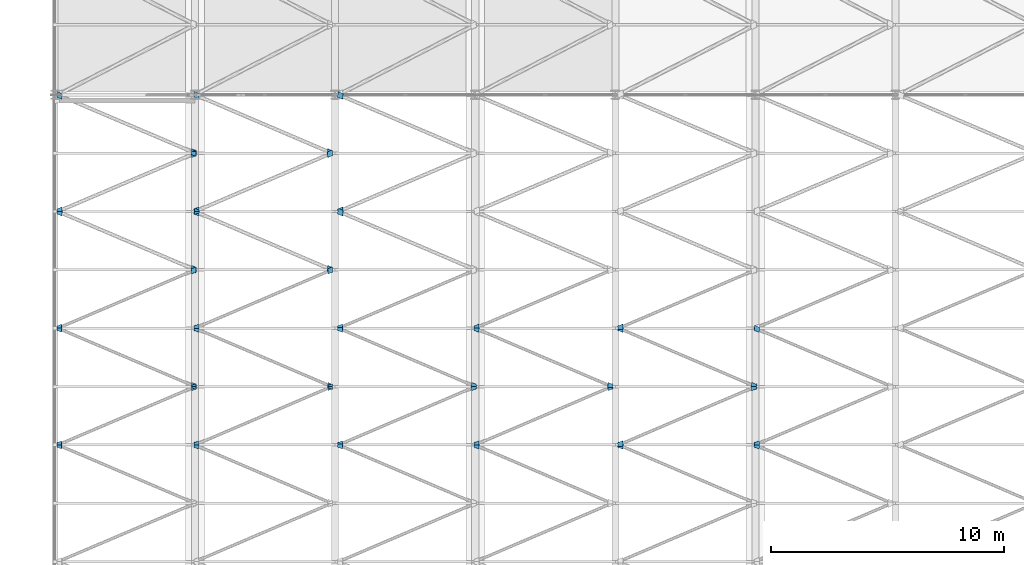
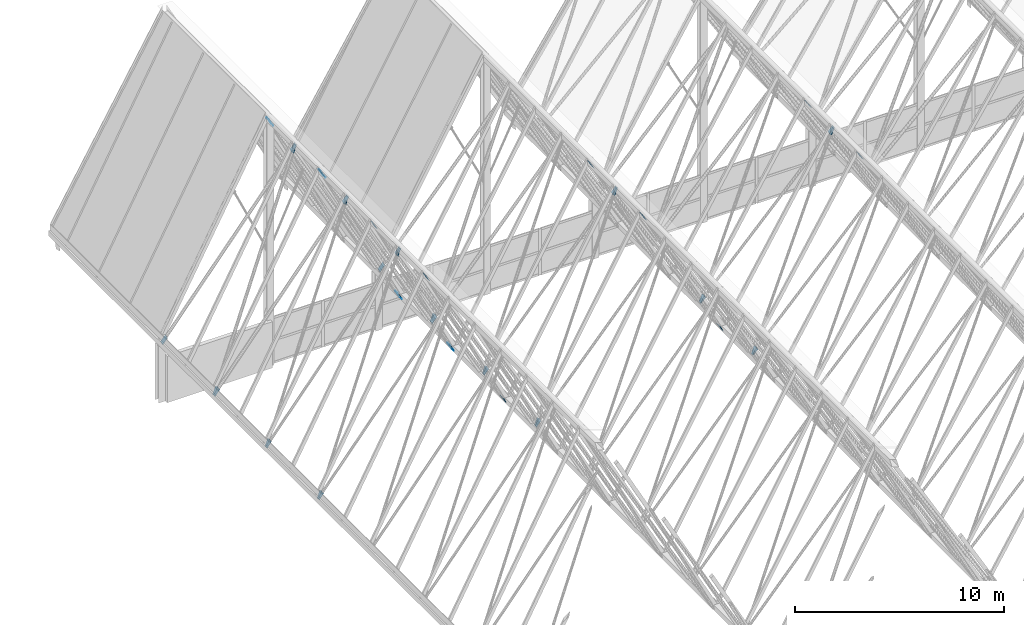
# One storey, part 421 of 483: 50 discrete accessories.
"""IFC4 building model written with IfcOpenShell, lengths in metres."""

from ifc_helpers import new_model, si_unit, direction, frame, origin, place, context, subcontext, project, spatial, polyline, outline, extrude, material, layer, layer_set, type_object, element, save


model = new_model("IFC4")

# Units and contexts
model_context = context("Model", 3, precision=1e-05, world=origin(), true_north=direction((0.0, 1.0)))
body_context = subcontext(model_context, "Body", "Model", "MODEL_VIEW")
ifc_project = project(units=[si_unit("LENGTHUNIT", "METRE"), si_unit("AREAUNIT", "SQUARE_METRE"), si_unit("VOLUMEUNIT", "CUBIC_METRE"), si_unit("PLANEANGLEUNIT", "RADIAN"), si_unit("MASSUNIT", "GRAM", prefix="KILO")], contexts=[model_context])

# Site, building, storey
site_placement = place(None, origin())
site = spatial("IfcSite", under=ifc_project, at=site_placement, CompositionType="ELEMENT")
building_placement = place(site_placement, origin())
building = spatial("IfcBuilding", under=site, at=building_placement, Name="Parallax Yard Mobility Hub", CompositionType="ELEMENT")
storey_placement = place(building_placement, frame((0.0, 0.0, 13.199951171875)))
storey = spatial("IfcBuildingStorey", under=building, at=storey_placement, Name="L04", CompositionType="ELEMENT", Elevation=13.199951171875)

# Discrete accessories
ifc_material = material(Name="Steel ASTM A36", Category="steel")
ifc_layer = layer(ifc_material, 0.011962890625)
ifc_layer_set = layer_set([ifc_layer], Name="Gusset plate PL12")
discrete_accessory_type = type_object("IfcDiscreteAccessoryType", Name="Gusset plate PL12", PredefinedType="BRACKET", material=ifc_layer_set)
discrete_accessory_1_placement = place(storey_placement, frame((27.17578125, 37.537109375, 13.36328125), z_axis=(0.868754580943, 0.000345341315, 0.495242727185), x_axis=(-0.484568892137, 0.207090666988, 0.84988613615)))
element("IfcDiscreteAccessory", 1, at=discrete_accessory_1_placement, inside=storey, type_object=discrete_accessory_type, Name="Gusset plate PL12 at end 2 of Plate diagonal plate F4-F5 bay 12", PredefinedType="BRACKET", context=body_context, shape_type="SweptSolid", body=[
    extrude(outline(polyline([(0.0, 0.0), (0.4196908714630526, 0.0), (0.4196962682363814, 0.21960554386399633), (5.3967733288293185e-06, 0.2196055438639963), (0.0, 0.0)])), origin(), (0.0, 0.0, -1.0), 0.011962890625),
])
discrete_accessory_2_placement = place(storey_placement, frame((33.33740234375, 37.533447265625, 3.716552734375), z_axis=(-0.854018875597, 0.000557720542, 0.520241721771), x_axis=(-0.507742563773, 0.21699439579, -0.833733123445)))
element("IfcDiscreteAccessory", 2, at=discrete_accessory_2_placement, inside=storey, type_object=discrete_accessory_type, Name="Gusset plate PL12 at end 2 of Plate diagonal plate F5-F6 bay 12", PredefinedType="BRACKET", context=body_context, shape_type="SweptSolid", body=[
    extrude(outline(polyline([(0.0, 0.0), (0.41966253264156217, 0.0), (0.41978511409084773, 0.219614864219578), (-8.096667655547313e-05, 0.21956968987108047), (0.0, 0.0)])), origin(), (0.0, 0.0, -1.0), 0.011962890625),
])
discrete_accessory_3_placement = place(storey_placement, frame((39.184814453125, 37.533447265625, 12.711669921875), z_axis=(0.854016692741, 0.000119683392, 0.52024559027), x_axis=(-0.50787179366, 0.216994477704, 0.833654387532)))
element("IfcDiscreteAccessory", 3, at=discrete_accessory_3_placement, inside=storey, type_object=discrete_accessory_type, Name="Gusset plate PL12 at end 2 of Plate diagonal plate F6-F7 bay 12", PredefinedType="BRACKET", context=body_context, shape_type="SweptSolid", body=[
    extrude(outline(polyline([(0.0, 0.0), (0.41966253744663834, -1.3877787807814457e-17), (0.4194575882440381, 0.21954206328546932), (-0.00020494920260025196, 0.21954206328546932), (0.0, 0.0)])), origin(), (0.0, 0.0, -1.0), 0.011962890625),
])
discrete_accessory_4_placement = place(storey_placement, frame((9.29443359375, 37.540771484375, 3.678955078125), z_axis=(-0.881330506499, 0.000364781086, 0.472500164284), x_axis=(-0.463153892363, 0.197247700391, -0.864049661003)))
element("IfcDiscreteAccessory", 4, at=discrete_accessory_4_placement, inside=storey, type_object=discrete_accessory_type, Name="Gusset plate PL12 at end 2 of Plate diagonal plate F1-F2 bay 12", PredefinedType="BRACKET", context=body_context, shape_type="SweptSolid", body=[
    extrude(outline(polyline([(0.0, 0.0), (0.4195925818708517, 0.0), (0.4195252484554286, 0.21963375914747532), (-6.7333415423039e-05, 0.21963375914747532), (0.0, 0.0)])), origin(), (0.0, 0.0, -1.0), 0.011962890625),
])
discrete_accessory_5_placement = place(storey_placement, frame((15.16748046875, 37.54052734375, 14.016357421875), z_axis=(0.881379531928, 0.00015000554, 0.472408825274), x_axis=(-0.463100667478, 0.197806817767, 0.863950365835)))
element("IfcDiscreteAccessory", 5, at=discrete_accessory_5_placement, inside=storey, type_object=discrete_accessory_type, Name="Gusset plate PL12 at end 2 of Plate diagonal plate F2-F3 bay 12", PredefinedType="BRACKET", context=body_context, shape_type="SweptSolid", body=[
    extrude(outline(polyline([(0.0, 0.0), (0.4196408063032597, 0.0), (0.4196591291142459, 0.21967623587709556), (1.8322810986286242e-05, 0.2196762358770956), (0.0, 0.0)])), origin(), (0.0, 0.0, -1.0), 0.011962890625),
])
discrete_accessory_6_placement = place(storey_placement, frame((21.328369140625, 37.537109375, 3.72216796875), z_axis=(-0.868696794053, 0.000898687081, 0.495343388332), x_axis=(-0.484454521055, 0.206988455494, -0.849976232798)))
element("IfcDiscreteAccessory", 6, at=discrete_accessory_6_placement, inside=storey, type_object=discrete_accessory_type, Name="Gusset plate PL12 at end 2 of Plate diagonal plate F3-F4 bay 12", PredefinedType="BRACKET", context=body_context, shape_type="SweptSolid", body=[
    extrude(outline(polyline([(0.0, 0.0), (0.4198983785511328, 1.3877787807814457e-17), (0.41983749063708, 0.21958679860225017), (0.00014662581465764435, 0.21963059128649676), (0.0, 0.0)])), origin(), (0.0, 0.0, -1.0), 0.011962890625),
])
discrete_accessory_7_placement = place(storey_placement, frame((27.1533203125, 37.677734375, 13.40283203125), z_axis=(0.868754580943, -0.000345341315, 0.495242727185), x_axis=(-0.484568892137, -0.207090666988, 0.84988613615)))
element("IfcDiscreteAccessory", 7, at=discrete_accessory_7_placement, inside=storey, type_object=discrete_accessory_type, Name="Gusset plate PL12 at end 1 of Plate diagonal plate F4-F5 bay 13", PredefinedType="BRACKET", context=body_context, shape_type="SweptSolid", body=[
    extrude(outline(polyline([(0.0, 0.0), (0.4196908714630526, 0.0), (0.4196854746897237, 0.2196055438639963), (-5.3967733288293185e-06, 0.2196055438639963), (0.0, 0.0)])), origin(), (0.0, 0.0, -1.0), 0.011962890625),
])
discrete_accessory_8_placement = place(storey_placement, frame((32.6943359375, 39.822265625, 3.6826171875), z_axis=(0.868696794053, 0.000898687081, 0.495343388332), x_axis=(0.484443740172, 0.207090539659, -0.849957511286)))
element("IfcDiscreteAccessory", 8, at=discrete_accessory_8_placement, inside=storey, type_object=discrete_accessory_type, Name="Gusset plate PL12 at end 2 of Plate diagonal plate F4-F5 bay 13", PredefinedType="BRACKET", context=body_context, shape_type="SweptSolid", body=[
    extrude(outline(polyline([(0.0, 0.0), (0.41969086710719833, 1.3877787807814457e-17), (0.4197746678267241, 0.21958679105347548), (-0.00012370843850314367, 0.21963060539052376), (0.0, 0.0)])), origin(), (0.0, 0.0, -1.0), 0.011962890625),
])
discrete_accessory_9_placement = place(storey_placement, frame((33.3125, 37.680908203125, 3.676025390625), z_axis=(-0.854018875597, -0.000557720542, 0.520241721771), x_axis=(-0.507754756906, -0.21688936589, -0.833753026863)))
element("IfcDiscreteAccessory", 9, at=discrete_accessory_9_placement, inside=storey, type_object=discrete_accessory_type, Name="Gusset plate PL12 at end 1 of Plate diagonal plate F5-F6 bay 13", PredefinedType="BRACKET", context=body_context, shape_type="SweptSolid", body=[
    extrude(outline(polyline([(0.0, 0.0), (0.41986608319760876, -1.3877787807814457e-17), (0.41971987288542956, 0.219614849759619), (5.7342672894721e-05, 0.21956969731158954), (0.0, 0.0)])), origin(), (0.0, 0.0, -1.0), 0.011962890625),
])
for number, where, z_axis, x_axis, name in (
    (10, (38.83984375, 39.819091796875, 12.752197265625), (-0.854016692741, 0.000119683392, 0.52024559027), (0.50787179366, 0.216994477704, 0.833654387532), "Gusset plate PL12 at end 2 of Plate diagonal plate F5-F6 bay 13"),
    (11, (39.16015625, 37.680908203125, 12.752197265625), (0.854016692741, -0.000119683392, 0.52024559027), (-0.50787179366, -0.216994477704, 0.833654387532), "Gusset plate PL12 at end 1 of Plate diagonal plate F6-F7 bay 13"),
):
    element("IfcDiscreteAccessory", number, at=place(storey_placement, frame(where, z_axis=z_axis, x_axis=x_axis)), inside=storey, type_object=discrete_accessory_type, Name=name, PredefinedType="BRACKET", context=body_context, shape_type="SweptSolid", body=[
        extrude(outline(polyline([(0.0, 0.0), (0.41966253744663834, 1.3877787807814457e-17), (0.41986748664923856, 0.21954206328546938), (0.00020494920260025196, 0.21954206328546932), (0.0, 0.0)])), origin(), (0.0, 0.0, -1.0), 0.011962890625),
    ])
discrete_accessory_10_placement = place(storey_placement, frame((9.27392578125, 37.674560546875, 3.640869140625), z_axis=(-0.881330506499, -0.000364781086, 0.472500164284), x_axis=(-0.463153892363, -0.197247700391, -0.864049661003)))
element("IfcDiscreteAccessory", 12, at=discrete_accessory_10_placement, inside=storey, type_object=discrete_accessory_type, Name="Gusset plate PL12 at end 1 of Plate diagonal plate F1-F2 bay 13", PredefinedType="BRACKET", context=body_context, shape_type="SweptSolid", body=[
    extrude(outline(polyline([(0.0, 0.0), (0.4195925818708517, 0.0), (0.4196599152862747, 0.21963375914747532), (6.7333415423039e-05, 0.21963375914747532), (0.0, 0.0)])), origin(), (0.0, 0.0, -1.0), 0.011962890625),
])
discrete_accessory_11_placement = place(storey_placement, frame((14.85302734375, 39.825439453125, 14.054443359375), z_axis=(-0.881457749689, -0.000418899554, 0.472262702356), x_axis=(0.462921139514, 0.197148575748, 0.864197001656)))
element("IfcDiscreteAccessory", 13, at=discrete_accessory_11_placement, inside=storey, type_object=discrete_accessory_type, Name="Gusset plate PL12 at end 2 of Plate diagonal plate F1-F2 bay 13", PredefinedType="BRACKET", context=body_context, shape_type="SweptSolid", body=[
    extrude(outline(polyline([(0.0, 0.0), (0.4198035494855601, 0.0), (0.4198486998351981, 0.2196337648279198), (4.515034963806924e-05, 0.2196337648279198), (0.0, 0.0)])), origin(), (0.0, 0.0, -1.0), 0.011962890625),
])
discrete_accessory_12_placement = place(storey_placement, frame((15.14697265625, 37.6748046875, 14.0546875), z_axis=(0.881379531928, -0.00015000554, 0.472408825274), x_axis=(-0.463100667478, -0.197806817767, 0.863950365835)))
element("IfcDiscreteAccessory", 14, at=discrete_accessory_12_placement, inside=storey, type_object=discrete_accessory_type, Name="Gusset plate PL12 at end 1 of Plate diagonal plate F2-F3 bay 13", PredefinedType="BRACKET", context=body_context, shape_type="SweptSolid", body=[
    extrude(outline(polyline([(0.0, 0.0), (0.4196408063032597, 0.0), (0.4196224834922734, 0.21967623587709556), (-1.8322810986286242e-05, 0.2196762358770956), (0.0, 0.0)])), origin(), (0.0, 0.0, -1.0), 0.011962890625),
])
discrete_accessory_13_placement = place(storey_placement, frame((20.70068359375, 39.8251953125, 3.688232421875), z_axis=(0.881506711294, -9.5645112e-05, 0.472171482404), x_axis=(0.462867994823, 0.197707434975, -0.86409778933)))
element("IfcDiscreteAccessory", 15, at=discrete_accessory_13_placement, inside=storey, type_object=discrete_accessory_type, Name="Gusset plate PL12 at end 2 of Plate diagonal plate F2-F3 bay 13", PredefinedType="BRACKET", context=body_context, shape_type="SweptSolid", body=[
    extrude(outline(polyline([(0.0, 0.0), (0.4198517496860976, 0.0), (0.4198111474296618, 0.21967623288902122), (-4.0602256435769146e-05, 0.21967623288902127), (0.0, 0.0)])), origin(), (0.0, 0.0, -1.0), 0.011962890625),
])
discrete_accessory_14_placement = place(storey_placement, frame((21.3056640625, 37.677734375, 3.6826171875), z_axis=(-0.868696794053, -0.000898687081, 0.495343388332), x_axis=(-0.484443740172, -0.207090539659, -0.849957511286)))
element("IfcDiscreteAccessory", 16, at=discrete_accessory_14_placement, inside=storey, type_object=discrete_accessory_type, Name="Gusset plate PL12 at end 1 of Plate diagonal plate F3-F4 bay 13", PredefinedType="BRACKET", context=body_context, shape_type="SweptSolid", body=[
    extrude(outline(polyline([(0.0, 0.0), (0.41969086710719833, 1.3877787807814457e-17), (0.4197746678267241, 0.21958679105347548), (-0.00012370843850314367, 0.21963060539052376), (0.0, 0.0)])), origin(), (0.0, 0.0, -1.0), 0.011962890625),
])
discrete_accessory_15_placement = place(storey_placement, frame((26.8466796875, 39.822265625, 13.40283203125), z_axis=(-0.868754580943, 0.000345341315, 0.495242727185), x_axis=(0.484568892137, 0.207090666988, 0.84988613615)))
element("IfcDiscreteAccessory", 17, at=discrete_accessory_15_placement, inside=storey, type_object=discrete_accessory_type, Name="Gusset plate PL12 at end 2 of Plate diagonal plate F3-F4 bay 13", PredefinedType="BRACKET", context=body_context, shape_type="SweptSolid", body=[
    extrude(outline(polyline([(0.0, 0.0), (0.4196908714630526, 0.0), (0.4196854746897237, 0.2196055438639963), (-5.3967733288293185e-06, 0.2196055438639963), (0.0, 0.0)])), origin(), (0.0, 0.0, -1.0), 0.011962890625),
])
discrete_accessory_16_placement = place(storey_placement, frame((32.671630859375, 39.962890625, 3.72216796875), z_axis=(0.868696794053, -0.000898687081, 0.495343388332), x_axis=(0.484454521055, -0.206988455494, -0.849976232798)))
element("IfcDiscreteAccessory", 18, at=discrete_accessory_16_placement, inside=storey, type_object=discrete_accessory_type, Name="Gusset plate PL12 at end 1 of Plate diagonal plate F4-F5 bay 14", PredefinedType="BRACKET", context=body_context, shape_type="SweptSolid", body=[
    extrude(outline(polyline([(0.0, 0.0), (0.4198983785511328, 1.3877787807814457e-17), (0.41983749063708, 0.21958679860225017), (0.00014662581465764435, 0.21963059128649676), (0.0, 0.0)])), origin(), (0.0, 0.0, -1.0), 0.011962890625),
])
discrete_accessory_17_placement = place(storey_placement, frame((27.17578125, 42.537109375, 13.36328125), z_axis=(0.868754580943, 0.000345341315, 0.495242727185), x_axis=(-0.484568892137, 0.207090666988, 0.84988613615)))
element("IfcDiscreteAccessory", 19, at=discrete_accessory_17_placement, inside=storey, type_object=discrete_accessory_type, Name="Gusset plate PL12 at end 2 of Plate diagonal plate F4-F5 bay 14", PredefinedType="BRACKET", context=body_context, shape_type="SweptSolid", body=[
    extrude(outline(polyline([(0.0, 0.0), (0.4196908714630526, 0.0), (0.4196962682363814, 0.21960554386399633), (5.3967733288293185e-06, 0.2196055438639963), (0.0, 0.0)])), origin(), (0.0, 0.0, -1.0), 0.011962890625),
])
discrete_accessory_18_placement = place(storey_placement, frame((38.815185546875, 39.966552734375, 12.711669921875), z_axis=(-0.854016692741, -0.000119683392, 0.52024559027), x_axis=(0.50787179366, -0.216994477704, 0.833654387532)))
element("IfcDiscreteAccessory", 20, at=discrete_accessory_18_placement, inside=storey, type_object=discrete_accessory_type, Name="Gusset plate PL12 at end 1 of Plate diagonal plate F5-F6 bay 14", PredefinedType="BRACKET", context=body_context, shape_type="SweptSolid", body=[
    extrude(outline(polyline([(0.0, 0.0), (0.41966253744663834, -1.3877787807814457e-17), (0.4194575882440381, 0.21954206328546932), (-0.00020494920260025196, 0.21954206328546932), (0.0, 0.0)])), origin(), (0.0, 0.0, -1.0), 0.011962890625),
])
discrete_accessory_19_placement = place(storey_placement, frame((33.33740234375, 42.533447265625, 3.716552734375), z_axis=(-0.854018875597, 0.000557720542, 0.520241721771), x_axis=(-0.507742563773, 0.21699439579, -0.833733123445)))
element("IfcDiscreteAccessory", 21, at=discrete_accessory_19_placement, inside=storey, type_object=discrete_accessory_type, Name="Gusset plate PL12 at end 2 of Plate diagonal plate F5-F6 bay 14", PredefinedType="BRACKET", context=body_context, shape_type="SweptSolid", body=[
    extrude(outline(polyline([(0.0, 0.0), (0.41966253264156217, 0.0), (0.41978511409084773, 0.219614864219578), (-8.096667655547313e-05, 0.21956968987108047), (0.0, 0.0)])), origin(), (0.0, 0.0, -1.0), 0.011962890625),
])
discrete_accessory_20_placement = place(storey_placement, frame((39.184814453125, 42.533447265625, 12.711669921875), z_axis=(0.854016692741, 0.000119683392, 0.52024559027), x_axis=(-0.50787179366, 0.216994477704, 0.833654387532)))
element("IfcDiscreteAccessory", 22, at=discrete_accessory_20_placement, inside=storey, type_object=discrete_accessory_type, Name="Gusset plate PL12 at end 2 of Plate diagonal plate F6-F7 bay 14", PredefinedType="BRACKET", context=body_context, shape_type="SweptSolid", body=[
    extrude(outline(polyline([(0.0, 0.0), (0.41966253744663834, -1.3877787807814457e-17), (0.4194575882440381, 0.21954206328546932), (-0.00020494920260025196, 0.21954206328546932), (0.0, 0.0)])), origin(), (0.0, 0.0, -1.0), 0.011962890625),
])
discrete_accessory_21_placement = place(storey_placement, frame((14.83251953125, 39.959228515625, 14.016357421875), z_axis=(-0.881457749689, 0.000418899554, 0.472262702356), x_axis=(0.462921139514, -0.197148575748, 0.864197001656)))
element("IfcDiscreteAccessory", 23, at=discrete_accessory_21_placement, inside=storey, type_object=discrete_accessory_type, Name="Gusset plate PL12 at end 1 of Plate diagonal plate F1-F2 bay 14", PredefinedType="BRACKET", context=body_context, shape_type="SweptSolid", body=[
    extrude(outline(polyline([(0.0, 0.0), (0.4198035494855601, 0.0), (0.419758399135922, 0.21963376482791974), (-4.515034963806924e-05, 0.2196337648279198), (0.0, 0.0)])), origin(), (0.0, 0.0, -1.0), 0.011962890625),
])
discrete_accessory_22_placement = place(storey_placement, frame((9.29443359375, 42.540771484375, 3.678955078125), z_axis=(-0.881330506499, 0.000364781086, 0.472500164284), x_axis=(-0.463153892363, 0.197247700391, -0.864049661003)))
element("IfcDiscreteAccessory", 24, at=discrete_accessory_22_placement, inside=storey, type_object=discrete_accessory_type, Name="Gusset plate PL12 at end 2 of Plate diagonal plate F1-F2 bay 14", PredefinedType="BRACKET", context=body_context, shape_type="SweptSolid", body=[
    extrude(outline(polyline([(0.0, 0.0), (0.4195925818708517, 0.0), (0.4195252484554286, 0.21963375914747532), (-6.7333415423039e-05, 0.21963375914747532), (0.0, 0.0)])), origin(), (0.0, 0.0, -1.0), 0.011962890625),
])
discrete_accessory_23_placement = place(storey_placement, frame((20.68017578125, 39.95947265625, 3.7265625), z_axis=(0.881506711294, 9.5645112e-05, 0.472171482404), x_axis=(0.462867994823, -0.197707434975, -0.86409778933)))
element("IfcDiscreteAccessory", 25, at=discrete_accessory_23_placement, inside=storey, type_object=discrete_accessory_type, Name="Gusset plate PL12 at end 1 of Plate diagonal plate F2-F3 bay 14", PredefinedType="BRACKET", context=body_context, shape_type="SweptSolid", body=[
    extrude(outline(polyline([(0.0, 0.0), (0.4198517496860976, 0.0), (0.4198923519425334, 0.21967623288902127), (4.0602256435769146e-05, 0.21967623288902127), (0.0, 0.0)])), origin(), (0.0, 0.0, -1.0), 0.011962890625),
])
discrete_accessory_24_placement = place(storey_placement, frame((15.16748046875, 42.54052734375, 14.016357421875), z_axis=(0.881379531928, 0.00015000554, 0.472408825274), x_axis=(-0.463100667478, 0.197806817767, 0.863950365835)))
element("IfcDiscreteAccessory", 26, at=discrete_accessory_24_placement, inside=storey, type_object=discrete_accessory_type, Name="Gusset plate PL12 at end 2 of Plate diagonal plate F2-F3 bay 14", PredefinedType="BRACKET", context=body_context, shape_type="SweptSolid", body=[
    extrude(outline(polyline([(0.0, 0.0), (0.4196408063032597, 0.0), (0.4196591291142459, 0.21967623587709556), (1.8322810986286242e-05, 0.2196762358770956), (0.0, 0.0)])), origin(), (0.0, 0.0, -1.0), 0.011962890625),
])
discrete_accessory_25_placement = place(storey_placement, frame((26.82421875, 39.962890625, 13.36328125), z_axis=(-0.868754580943, -0.000345341315, 0.495242727185), x_axis=(0.484568892137, -0.207090666988, 0.84988613615)))
element("IfcDiscreteAccessory", 27, at=discrete_accessory_25_placement, inside=storey, type_object=discrete_accessory_type, Name="Gusset plate PL12 at end 1 of Plate diagonal plate F3-F4 bay 14", PredefinedType="BRACKET", context=body_context, shape_type="SweptSolid", body=[
    extrude(outline(polyline([(0.0, 0.0), (0.4196908714630526, 0.0), (0.4196962682363814, 0.21960554386399633), (5.3967733288293185e-06, 0.2196055438639963), (0.0, 0.0)])), origin(), (0.0, 0.0, -1.0), 0.011962890625),
])
discrete_accessory_26_placement = place(storey_placement, frame((21.328369140625, 42.537109375, 3.72216796875), z_axis=(-0.868696794053, 0.000898687081, 0.495343388332), x_axis=(-0.484454521055, 0.206988455494, -0.849976232798)))
element("IfcDiscreteAccessory", 28, at=discrete_accessory_26_placement, inside=storey, type_object=discrete_accessory_type, Name="Gusset plate PL12 at end 2 of Plate diagonal plate F3-F4 bay 14", PredefinedType="BRACKET", context=body_context, shape_type="SweptSolid", body=[
    extrude(outline(polyline([(0.0, 0.0), (0.4198983785511328, 1.3877787807814457e-17), (0.41983749063708, 0.21958679860225017), (0.00014662581465764435, 0.21963059128649676), (0.0, 0.0)])), origin(), (0.0, 0.0, -1.0), 0.011962890625),
])
discrete_accessory_27_placement = place(storey_placement, frame((27.1533203125, 42.677734375, 13.40283203125), z_axis=(0.868754580943, -0.000345341315, 0.495242727185), x_axis=(-0.484568892137, -0.207090666988, 0.84988613615)))
element("IfcDiscreteAccessory", 29, at=discrete_accessory_27_placement, inside=storey, type_object=discrete_accessory_type, Name="Gusset plate PL12 at end 1 of Plate diagonal plate F4-F5 bay 15", PredefinedType="BRACKET", context=body_context, shape_type="SweptSolid", body=[
    extrude(outline(polyline([(0.0, 0.0), (0.4196908714630526, 0.0), (0.4196854746897237, 0.2196055438639963), (-5.3967733288293185e-06, 0.2196055438639963), (0.0, 0.0)])), origin(), (0.0, 0.0, -1.0), 0.011962890625),
])
discrete_accessory_28_placement = place(storey_placement, frame((33.3125, 42.680908203125, 3.676025390625), z_axis=(-0.854018875597, -0.000557720542, 0.520241721771), x_axis=(-0.507754756906, -0.21688936589, -0.833753026863)))
element("IfcDiscreteAccessory", 30, at=discrete_accessory_28_placement, inside=storey, type_object=discrete_accessory_type, Name="Gusset plate PL12 at end 1 of Plate diagonal plate F5-F6 bay 15", PredefinedType="BRACKET", context=body_context, shape_type="SweptSolid", body=[
    extrude(outline(polyline([(0.0, 0.0), (0.41986608319760876, -1.3877787807814457e-17), (0.41971987288542956, 0.219614849759619), (5.7342672894721e-05, 0.21956969731158954), (0.0, 0.0)])), origin(), (0.0, 0.0, -1.0), 0.011962890625),
])
discrete_accessory_29_placement = place(storey_placement, frame((9.27392578125, 42.674560546875, 3.640869140625), z_axis=(-0.881330506499, -0.000364781086, 0.472500164284), x_axis=(-0.463153892363, -0.197247700391, -0.864049661003)))
element("IfcDiscreteAccessory", 31, at=discrete_accessory_29_placement, inside=storey, type_object=discrete_accessory_type, Name="Gusset plate PL12 at end 1 of Plate diagonal plate F1-F2 bay 15", PredefinedType="BRACKET", context=body_context, shape_type="SweptSolid", body=[
    extrude(outline(polyline([(0.0, 0.0), (0.4195925818708517, 0.0), (0.4196599152862747, 0.21963375914747532), (6.7333415423039e-05, 0.21963375914747532), (0.0, 0.0)])), origin(), (0.0, 0.0, -1.0), 0.011962890625),
])
discrete_accessory_30_placement = place(storey_placement, frame((14.85302734375, 44.825439453125, 14.054443359375), z_axis=(-0.881457749689, -0.000418899554, 0.472262702356), x_axis=(0.462921139514, 0.197148575748, 0.864197001656)))
element("IfcDiscreteAccessory", 32, at=discrete_accessory_30_placement, inside=storey, type_object=discrete_accessory_type, Name="Gusset plate PL12 at end 2 of Plate diagonal plate F1-F2 bay 15", PredefinedType="BRACKET", context=body_context, shape_type="SweptSolid", body=[
    extrude(outline(polyline([(0.0, 0.0), (0.4198035494855601, 0.0), (0.4198486998351981, 0.2196337648279198), (4.515034963806924e-05, 0.2196337648279198), (0.0, 0.0)])), origin(), (0.0, 0.0, -1.0), 0.011962890625),
])
discrete_accessory_31_placement = place(storey_placement, frame((15.14697265625, 42.6748046875, 14.0546875), z_axis=(0.881379531928, -0.00015000554, 0.472408825274), x_axis=(-0.463100667478, -0.197806817767, 0.863950365835)))
element("IfcDiscreteAccessory", 33, at=discrete_accessory_31_placement, inside=storey, type_object=discrete_accessory_type, Name="Gusset plate PL12 at end 1 of Plate diagonal plate F2-F3 bay 15", PredefinedType="BRACKET", context=body_context, shape_type="SweptSolid", body=[
    extrude(outline(polyline([(0.0, 0.0), (0.4196408063032597, 0.0), (0.4196224834922734, 0.21967623587709556), (-1.8322810986286242e-05, 0.2196762358770956), (0.0, 0.0)])), origin(), (0.0, 0.0, -1.0), 0.011962890625),
])
discrete_accessory_32_placement = place(storey_placement, frame((20.70068359375, 44.8251953125, 3.688232421875), z_axis=(0.881506711294, -9.5645112e-05, 0.472171482404), x_axis=(0.462867994823, 0.197707434975, -0.86409778933)))
element("IfcDiscreteAccessory", 34, at=discrete_accessory_32_placement, inside=storey, type_object=discrete_accessory_type, Name="Gusset plate PL12 at end 2 of Plate diagonal plate F2-F3 bay 15", PredefinedType="BRACKET", context=body_context, shape_type="SweptSolid", body=[
    extrude(outline(polyline([(0.0, 0.0), (0.4198517496860976, 0.0), (0.4198111474296618, 0.21967623288902122), (-4.0602256435769146e-05, 0.21967623288902127), (0.0, 0.0)])), origin(), (0.0, 0.0, -1.0), 0.011962890625),
])
discrete_accessory_33_placement = place(storey_placement, frame((21.3056640625, 42.677734375, 3.6826171875), z_axis=(-0.868696794053, -0.000898687081, 0.495343388332), x_axis=(-0.484443740172, -0.207090539659, -0.849957511286)))
element("IfcDiscreteAccessory", 35, at=discrete_accessory_33_placement, inside=storey, type_object=discrete_accessory_type, Name="Gusset plate PL12 at end 1 of Plate diagonal plate F3-F4 bay 15", PredefinedType="BRACKET", context=body_context, shape_type="SweptSolid", body=[
    extrude(outline(polyline([(0.0, 0.0), (0.41969086710719833, 1.3877787807814457e-17), (0.4197746678267241, 0.21958679105347548), (-0.00012370843850314367, 0.21963060539052376), (0.0, 0.0)])), origin(), (0.0, 0.0, -1.0), 0.011962890625),
])
discrete_accessory_34_placement = place(storey_placement, frame((14.81787109375, 44.950927734375, 13.9892578125), z_axis=(-0.881424026068, 0.000370912562, 0.472325680747), x_axis=(0.462983935393, -0.197224939202, 0.864145936127)))
element("IfcDiscreteAccessory", 36, at=discrete_accessory_34_placement, inside=storey, type_object=discrete_accessory_type, Name="Gusset plate PL12 at end 1 of Plate diagonal plate F1-F2 bay 16", PredefinedType="BRACKET", context=body_context, shape_type="SweptSolid", body=[
    extrude(outline(polyline([(0.0, 0.0), (0.4481121161554119, 1.3877787807814457e-17), (0.44818634471319596, 0.24829987988238228), (-0.00013674457115322308, 0.24825748069454182), (0.0, 0.0)])), origin(), (0.0, 0.0, -1.0), 0.011962890625),
])
discrete_accessory_35_placement = place(storey_placement, frame((9.30908203125, 47.549072265625, 3.706298828125), z_axis=(-0.8815052292, 0.00016866425, 0.472174228909), x_axis=(-0.462879413454, 0.19713217373, -0.864223093119)))
element("IfcDiscreteAccessory", 37, at=discrete_accessory_35_placement, inside=storey, type_object=discrete_accessory_type, Name="Gusset plate PL12 at end 2 of Plate diagonal plate F1-F2 bay 16", PredefinedType="BRACKET", context=body_context, shape_type="SweptSolid", body=[
    extrude(outline(polyline([(0.0, 0.0), (0.44832309499676326, 0.0), (0.44842081339315826, 0.24829987844322915), (9.771839639496904e-05, 0.24829987844322915), (0.0, 0.0)])), origin(), (0.0, 0.0, -1.0), 0.011962890625),
])
discrete_accessory_36_placement = place(storey_placement, frame((20.66552734375, 44.951171875, 3.753662109375), z_axis=(0.881467349463, 8.4335673e-05, 0.472244962618), x_axis=(0.462934139882, -0.197748541461, -0.864052947731)))
element("IfcDiscreteAccessory", 38, at=discrete_accessory_36_placement, inside=storey, type_object=discrete_accessory_type, Name="Gusset plate PL12 at end 1 of Plate diagonal plate F2-F3 bay 16", PredefinedType="BRACKET", context=body_context, shape_type="SweptSolid", body=[
    extrude(outline(polyline([(0.0, 0.0), (0.4481603307008326, 0.0), (0.44831288737767516, 0.24834244952479625), (-5.8393749849471044e-05, 0.24829988411352577), (0.0, 0.0)])), origin(), (0.0, 0.0, -1.0), 0.011962890625),
])
discrete_accessory_37_placement = place(storey_placement, frame((15.18212890625, 47.548828125, 13.9892578125), z_axis=(0.881386103944, -0.000117840029, 0.472396572688), x_axis=(-0.463047519643, 0.197748528977, 0.863992195474)))
element("IfcDiscreteAccessory", 39, at=discrete_accessory_37_placement, inside=storey, type_object=discrete_accessory_type, Name="Gusset plate PL12 at end 2 of Plate diagonal plate F2-F3 bay 16", PredefinedType="BRACKET", context=body_context, shape_type="SweptSolid", body=[
    extrude(outline(polyline([(0.0, 0.0), (0.44816033440841985, 1.3877787807814457e-17), (0.44810194807422776, 0.24829989080715154), (-5.838633419206346e-05, 0.24829989080715148), (0.0, 0.0)])), origin(), (0.0, 0.0, -1.0), 0.011962890625),
])
discrete_accessory_38_placement = place(storey_placement, frame((21.343505859375, 47.545166015625, 3.7490234375), z_axis=(-0.868822502561, 0.000185250571, 0.495123645897), x_axis=(-0.484371150093, 0.206954967124, -0.850031899719)))
element("IfcDiscreteAccessory", 40, at=discrete_accessory_38_placement, inside=storey, type_object=discrete_accessory_type, Name="Gusset plate PL12 at end 2 of Plate diagonal plate F3-F4 bay 16", PredefinedType="BRACKET", context=body_context, shape_type="SweptSolid", body=[
    extrude(outline(polyline([(0.0, 0.0), (0.44827847543982424, -1.3877787807814457e-17), (0.44839923132840964, 0.248320969253754), (2.501213269813507e-06, 0.24829591413491753), (0.0, 0.0)])), origin(), (0.0, 0.0, -1.0), 0.011962890625),
])
discrete_accessory_39_placement = place(storey_placement, frame((9.285888671875, 47.6943359375, 3.6630859375), z_axis=(-0.8815052292, -0.00016866425, 0.472174228909), x_axis=(-0.462879413454, -0.19713217373, -0.864223093119)))
element("IfcDiscreteAccessory", 41, at=discrete_accessory_39_placement, inside=storey, type_object=discrete_accessory_type, Name="Gusset plate PL12 at end 1 of Plate diagonal plate F1-F2 bay 17", PredefinedType="BRACKET", context=body_context, shape_type="SweptSolid", body=[
    extrude(outline(polyline([(0.0, 0.0), (0.44832309499676326, 0.0), (0.4482253766003683, 0.24829987844322912), (-9.771839639496904e-05, 0.24829987844322915), (0.0, 0.0)])), origin(), (0.0, 0.0, -1.0), 0.011962890625),
])
discrete_accessory_40_placement = place(storey_placement, frame((14.841064453125, 49.8056640625, 14.0322265625), z_axis=(-0.881424026068, -0.000370912562, 0.472325680747), x_axis=(0.462992773511, 0.197132223062, 0.864162356451)))
element("IfcDiscreteAccessory", 42, at=discrete_accessory_40_placement, inside=storey, type_object=discrete_accessory_type, Name="Gusset plate PL12 at end 2 of Plate diagonal plate F1-F2 bay 17", PredefinedType="BRACKET", context=body_context, shape_type="SweptSolid", body=[
    extrude(outline(polyline([(0.0, 0.0), (0.448323091289255, 2.7755575615628914e-17), (0.44822538030706843, 0.248299871751977), (0.00011326615561887271, 0.24825749251665405), (0.0, 0.0)])), origin(), (0.0, 0.0, -1.0), 0.011962890625),
])
discrete_accessory_41_placement = place(storey_placement, frame((15.158935546875, 47.694580078125, 14.032470703125), z_axis=(0.881386103944, 0.000117840029, 0.472396572688), x_axis=(-0.463047519643, -0.197748528977, 0.863992195474)))
element("IfcDiscreteAccessory", 43, at=discrete_accessory_41_placement, inside=storey, type_object=discrete_accessory_type, Name="Gusset plate PL12 at end 1 of Plate diagonal plate F2-F3 bay 17", PredefinedType="BRACKET", context=body_context, shape_type="SweptSolid", body=[
    extrude(outline(polyline([(0.0, 0.0), (0.44816033440841985, -1.3877787807814457e-17), (0.4482187207426119, 0.2482998908071515), (5.838633419206346e-05, 0.24829989080715148), (0.0, 0.0)])), origin(), (0.0, 0.0, -1.0), 0.011962890625),
])
discrete_accessory_42_placement = place(storey_placement, frame((20.688720703125, 49.805419921875, 3.71044921875), z_axis=(0.881467349463, -8.4335673e-05, 0.472244962618), x_axis=(0.462942996305, 0.197655481839, -0.864069495279)))
element("IfcDiscreteAccessory", 44, at=discrete_accessory_42_placement, inside=storey, type_object=discrete_accessory_type, Name="Gusset plate PL12 at end 2 of Plate diagonal plate F2-F3 bay 17", PredefinedType="BRACKET", context=body_context, shape_type="SweptSolid", body=[
    extrude(outline(polyline([(0.0, 0.0), (0.44837128314796426, 0.0), (0.44819515047821357, 0.24834243392299732), (3.482179687006731e-05, 0.24829988853816032), (0.0, 0.0)])), origin(), (0.0, 0.0, -1.0), 0.011962890625),
])
discrete_accessory_43_placement = place(storey_placement, frame((21.318115234375, 47.69775390625, 3.704345703125), z_axis=(-0.868822502561, -0.000185250571, 0.495123645897), x_axis=(-0.484376883769, -0.206900299394, -0.850041940484)))
element("IfcDiscreteAccessory", 45, at=discrete_accessory_43_placement, inside=storey, type_object=discrete_accessory_type, Name="Gusset plate PL12 at end 1 of Plate diagonal plate F3-F4 bay 17", PredefinedType="BRACKET", context=body_context, shape_type="SweptSolid", body=[
    extrude(outline(polyline([(0.0, 0.0), (0.44839673081514386, 0.0), (0.4482620994656504, 0.24832096211860205), (-1.637527435451036e-05, 0.2482959136075356), (0.0, 0.0)])), origin(), (0.0, 0.0, -1.0), 0.011962890625),
])
discrete_accessory_44_placement = place(storey_placement, frame((14.81787109375, 49.950927734375, 13.9892578125), z_axis=(-0.881424026068, 0.000370912562, 0.472325680747), x_axis=(0.462983935393, -0.197224939202, 0.864145936127)))
element("IfcDiscreteAccessory", 46, at=discrete_accessory_44_placement, inside=storey, type_object=discrete_accessory_type, Name="Gusset plate PL12 at end 1 of Plate diagonal plate F1-F2 bay 18", PredefinedType="BRACKET", context=body_context, shape_type="SweptSolid", body=[
    extrude(outline(polyline([(0.0, 0.0), (0.4481121161554119, 1.3877787807814457e-17), (0.44818634471319596, 0.24829987988238228), (-0.00013674457115322308, 0.24825748069454182), (0.0, 0.0)])), origin(), (0.0, 0.0, -1.0), 0.011962890625),
])
discrete_accessory_45_placement = place(storey_placement, frame((9.30908203125, 52.549072265625, 3.706298828125), z_axis=(-0.8815052292, 0.00016866425, 0.472174228909), x_axis=(-0.462879413454, 0.19713217373, -0.864223093119)))
element("IfcDiscreteAccessory", 47, at=discrete_accessory_45_placement, inside=storey, type_object=discrete_accessory_type, Name="Gusset plate PL12 at end 2 of Plate diagonal plate F1-F2 bay 18", PredefinedType="BRACKET", context=body_context, shape_type="SweptSolid", body=[
    extrude(outline(polyline([(0.0, 0.0), (0.44832309499676326, 0.0), (0.44842081339315826, 0.24829987844322915), (9.771839639496904e-05, 0.24829987844322915), (0.0, 0.0)])), origin(), (0.0, 0.0, -1.0), 0.011962890625),
])
discrete_accessory_46_placement = place(storey_placement, frame((20.66552734375, 49.951171875, 3.753662109375), z_axis=(0.881467349463, 8.4335673e-05, 0.472244962618), x_axis=(0.462934139882, -0.197748541461, -0.864052947731)))
element("IfcDiscreteAccessory", 48, at=discrete_accessory_46_placement, inside=storey, type_object=discrete_accessory_type, Name="Gusset plate PL12 at end 1 of Plate diagonal plate F2-F3 bay 18", PredefinedType="BRACKET", context=body_context, shape_type="SweptSolid", body=[
    extrude(outline(polyline([(0.0, 0.0), (0.4481603307008326, 0.0), (0.44831288737767516, 0.24834244952479625), (-5.8393749849471044e-05, 0.24829988411352577), (0.0, 0.0)])), origin(), (0.0, 0.0, -1.0), 0.011962890625),
])
discrete_accessory_47_placement = place(storey_placement, frame((15.18212890625, 52.548828125, 13.9892578125), z_axis=(0.881386103944, -0.000117840029, 0.472396572688), x_axis=(-0.463047519643, 0.197748528977, 0.863992195474)))
element("IfcDiscreteAccessory", 49, at=discrete_accessory_47_placement, inside=storey, type_object=discrete_accessory_type, Name="Gusset plate PL12 at end 2 of Plate diagonal plate F2-F3 bay 18", PredefinedType="BRACKET", context=body_context, shape_type="SweptSolid", body=[
    extrude(outline(polyline([(0.0, 0.0), (0.44816033440841985, 1.3877787807814457e-17), (0.44810194807422776, 0.24829989080715154), (-5.838633419206346e-05, 0.24829989080715148), (0.0, 0.0)])), origin(), (0.0, 0.0, -1.0), 0.011962890625),
])
discrete_accessory_48_placement = place(storey_placement, frame((21.343505859375, 52.545166015625, 3.7490234375), z_axis=(-0.868822502561, 0.000185250571, 0.495123645897), x_axis=(-0.484371150093, 0.206954967124, -0.850031899719)))
element("IfcDiscreteAccessory", 50, at=discrete_accessory_48_placement, inside=storey, type_object=discrete_accessory_type, Name="Gusset plate PL12 at end 2 of Plate diagonal plate F3-F4 bay 18", PredefinedType="BRACKET", context=body_context, shape_type="SweptSolid", body=[
    extrude(outline(polyline([(0.0, 0.0), (0.44827847543982424, -1.3877787807814457e-17), (0.44839923132840964, 0.248320969253754), (2.501213269813507e-06, 0.24829591413491753), (0.0, 0.0)])), origin(), (0.0, 0.0, -1.0), 0.011962890625),
])

save(model, "model.ifc")
